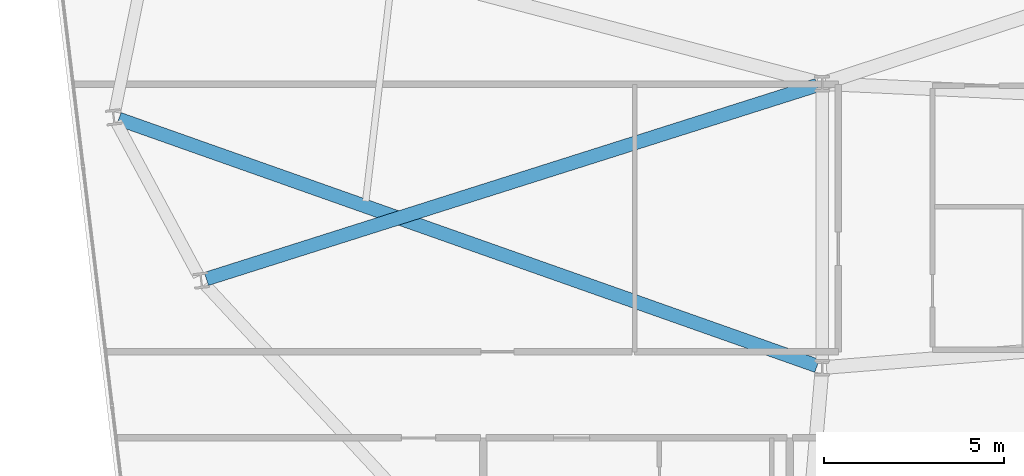
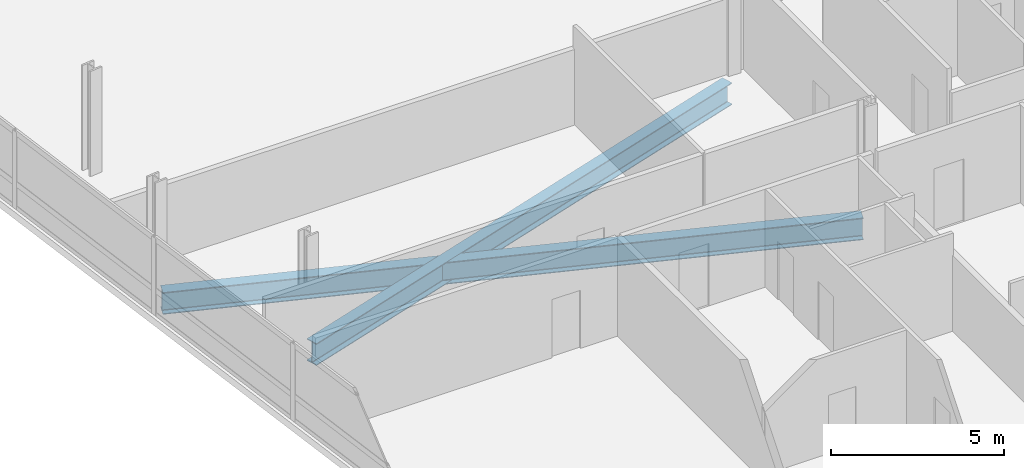
# One storey, part 5 of 23: 2 beams.
"""IFC4 building model written with IfcOpenShell, lengths in metres."""

import ifcopenshell
import ifcopenshell.guid

model = None  # the IFC model being written
_history = None  # IfcOwnerHistory: only IFC2X3 demands one
_inside = {}  # id of a spatial element -> (the spatial element, [elements in it])
_under = {}  # id of a project, library or spatial element -> (it, [spatial elements below it])
_declared = {}  # id of a project -> (the project, [libraries it declares])
_typed = {}  # id of a type object -> (the type object, [elements of that type])
_made_of = {}  # id of a material, layer set ... -> (it, [elements and type objects made of it])


def new_model(schema):
    """Start an empty IFC model of exactly this schema.

    Asked for "IFC4X3", IfcOpenShell would pick the latest addendum, in which some entities
    have other attributes; the version numbers below select the first issue.
    IFC2X3 requires an IfcOwnerHistory on every rooted entity: one is made here for all.
    """
    global model, _history
    if schema == "IFC4X3":
        model = ifcopenshell.file(schema_version=(4, 3, 0, 0))
    else:
        model = ifcopenshell.file(schema=schema)
    _inside.clear()
    _under.clear()
    _declared.clear()
    _typed.clear()
    _made_of.clear()
    _history = None
    if model.schema == "IFC2X3":
        org = make("IfcOrganization", Name="unknown")
        user = make(
            "IfcPersonAndOrganization",
            ThePerson=make("IfcPerson", FamilyName="unknown"),
            TheOrganization=org,
        )
        app = make(
            "IfcApplication",
            ApplicationDeveloper=org,
            Version="unknown",
            ApplicationFullName="unknown",
            ApplicationIdentifier="unknown",
        )
        _history = make(
            "IfcOwnerHistory",
            OwningUser=user,
            OwningApplication=app,
            ChangeAction="ADDED",
            CreationDate=0,
        )
    return model


def make(cls, **values):
    """One entity of the class cls with the attributes given. An attribute that is None is left unset."""
    return model.create_entity(
        cls, **{name: value for name, value in values.items() if value is not None}
    )


def rooted(cls, **values):
    """An entity with a GlobalId (a new one), such as an element, a storey or a relation."""
    return make(cls, GlobalId=ifcopenshell.guid.new(), OwnerHistory=_history, **values)


def si_unit(unit_type, name, prefix=None):
    """IfcSIUnit, for example si_unit("LENGTHUNIT", "METRE", prefix="MILLI")."""
    return make("IfcSIUnit", UnitType=unit_type, Prefix=prefix, Name=name)


def assignment(units):
    """IfcUnitAssignment: the units of a project."""
    return None if units is None else make("IfcUnitAssignment", Units=units)


def point(xyz):
    """IfcCartesianPoint."""
    return None if xyz is None else make("IfcCartesianPoint", Coordinates=xyz)


def direction(xyz):
    """IfcDirection."""
    return None if xyz is None else make("IfcDirection", DirectionRatios=xyz)


def frame(location, z_axis=None, x_axis=None):
    """IfcAxis2Placement3D, a coordinate frame: its origin and axes. An axis left out is left unset."""
    return make(
        "IfcAxis2Placement3D",
        Location=point(location),
        Axis=direction(z_axis),
        RefDirection=direction(x_axis),
    )


def frame_2d(location, x_axis=None):
    """IfcAxis2Placement2D, a coordinate frame in the plane: its origin and x axis."""
    return make(
        "IfcAxis2Placement2D", Location=point(location), RefDirection=direction(x_axis)
    )


def origin():
    """The frame at (0, 0, 0) with its axes left unset."""
    return frame((0.0, 0.0, 0.0))


def origin_2d():
    """The frame at (0, 0) in the plane with its x axis left unset."""
    return frame_2d((0.0, 0.0))


def place(relative_to, where):
    """IfcLocalPlacement: puts the frame where relative to a parent placement (None: the world)."""
    return make(
        "IfcLocalPlacement", PlacementRelTo=relative_to, RelativePlacement=where
    )


def context(
    kind, dimensions, precision=None, world=None, true_north=None, identifier=None
):
    """IfcGeometricRepresentationContext, for example the 3D "Model" context."""
    return make(
        "IfcGeometricRepresentationContext",
        ContextIdentifier=identifier,
        ContextType=kind,
        CoordinateSpaceDimension=dimensions,
        Precision=precision,
        WorldCoordinateSystem=world,
        TrueNorth=true_north,
    )


def subcontext(parent, identifier, kind, view, scale=None):
    """IfcGeometricRepresentationSubContext, for example "Body" below "Model"."""
    return make(
        "IfcGeometricRepresentationSubContext",
        ContextIdentifier=identifier,
        ContextType=kind,
        ParentContext=parent,
        TargetScale=scale,
        TargetView=view,
    )


def project(units=None, contexts=None):
    """IfcProject with its units and contexts."""
    return rooted(
        "IfcProject",
        Name="project",
        RepresentationContexts=contexts,
        UnitsInContext=assignment(units),
    )


def spatial(cls, under=None, at=None, **own):
    """A site, building, storey or space (cls), placed at a placement, below another one or the project."""
    s = rooted(cls, ObjectPlacement=at, **own)
    if under is not None:
        _under.setdefault(under.id(), (under, []))[1].append(s)
    return s


def profile(cls, at=None, kind="AREA", **sizes):
    """A parametric profile (cls). Its sizes go by their IFC names, for example OverallWidth=200.0."""
    return make(cls, ProfileType=kind, Position=at, **sizes)


def i_section(**sizes):
    """IfcIShapeProfileDef."""
    return profile("IfcIShapeProfileDef", **sizes)


def extrude(swept, where, along, depth):
    """IfcExtrudedAreaSolid: the profile swept, set in the frame where, extruded along a direction by depth."""
    return make(
        "IfcExtrudedAreaSolid",
        SweptArea=swept,
        Position=where,
        ExtrudedDirection=direction(along),
        Depth=depth,
    )


def shape(context_of_items, identifier, shape_type, items):
    """IfcShapeRepresentation: the items that make up one representation, for example the "Body"."""
    return make(
        "IfcShapeRepresentation",
        ContextOfItems=context_of_items,
        RepresentationIdentifier=identifier,
        RepresentationType=shape_type,
        Items=items,
    )


def material(Name=None, Category=None):
    """IfcMaterial."""
    return make("IfcMaterial", Name=Name, Category=Category)


def material_profile(
    of_material, cross_section, Name=None, Category=None, Priority=None
):
    """IfcMaterialProfile: a cross section and its material."""
    return make(
        "IfcMaterialProfile",
        Name=Name,
        Material=of_material,
        Profile=cross_section,
        Priority=Priority,
        Category=Category,
    )


def profile_set(profiles, Name=None, composite=None):
    """IfcMaterialProfileSet."""
    return make(
        "IfcMaterialProfileSet",
        Name=Name,
        MaterialProfiles=profiles,
        CompositeProfile=composite,
    )


def made_of(thing, what):
    """Note that an element or type object is made of a material, layer set ...; save() writes the relation."""
    if what is not None:
        _made_of.setdefault(what.id(), (what, []))[1].append(thing)
    return thing


def type_object(cls, material=None, **own):
    """A type object (cls), such as IfcWallType, which elements share."""
    return made_of(rooted(cls, **own), material)


def element(
    cls,
    number,
    at=None,
    inside=None,
    cuts=None,
    type_object=None,
    material=None,
    context=None,
    identifier="Body",
    shape_type=None,
    held_by="IfcProductDefinitionShape",
    body=None,
    shapes=None,
    **own,
):
    """One element of the class cls, such as IfcWall. Its Tag is "e" and its number.

    at: its placement. inside: the storey or other place that contains it. cuts: it is an
    opening in that element (IfcRelVoidsElement). A single representation is given by context,
    identifier, shape_type and body (its items); several are given by shapes. held_by: the class
    of the entity that holds the representations. save() writes the other relations.
    """
    e = rooted(cls, Tag="e%d" % number, ObjectPlacement=at, **own)
    if body is not None:
        shapes = [shape(context, identifier, shape_type, body)]
    if shapes is not None:
        e.Representation = make(held_by, Representations=shapes)
    if inside is not None:
        _inside.setdefault(inside.id(), (inside, []))[1].append(e)
    if cuts is not None:
        rooted(
            "IfcRelVoidsElement", RelatingBuildingElement=cuts, RelatedOpeningElement=e
        )
    if type_object is not None:
        _typed.setdefault(type_object.id(), (type_object, []))[1].append(e)
    return made_of(e, material)


def aggregate(whole, parts):
    """IfcRelAggregates: a whole, such as a stair, and the parts it consists of."""
    return rooted("IfcRelAggregates", RelatingObject=whole, RelatedObjects=parts)


def save(model, path):
    """Write the relations noted so far, then the file.

    IfcRelAggregates (storeys below a building ...), IfcRelContainedInSpatialStructure (elements
    in a storey), IfcRelDefinesByType, IfcRelAssociatesMaterial and IfcRelDeclares: one each for
    every whole, place, type object, material and project.
    """
    for whole, parts in _under.values():
        aggregate(whole, parts)
    for where, things in _inside.values():
        rooted(
            "IfcRelContainedInSpatialStructure",
            RelatedElements=things,
            RelatingStructure=where,
        )
    for kind, things in _typed.values():
        rooted("IfcRelDefinesByType", RelatedObjects=things, RelatingType=kind)
    for what, things in _made_of.values():
        rooted("IfcRelAssociatesMaterial", RelatedObjects=things, RelatingMaterial=what)
    for by, libraries in _declared.values():
        rooted("IfcRelDeclares", RelatingContext=by, RelatedDefinitions=libraries)
    model.write(path)


model = new_model("IFC4")

# Units and contexts
model_context = context("Model", 3, precision=1e-05, world=origin(), true_north=direction((0.0, 1.0)))
body_context = subcontext(model_context, "Body", "Model", "MODEL_VIEW")
ifc_project = project(units=[si_unit("LENGTHUNIT", "METRE"), si_unit("AREAUNIT", "SQUARE_METRE"), si_unit("VOLUMEUNIT", "CUBIC_METRE"), si_unit("PLANEANGLEUNIT", "RADIAN"), si_unit("MASSUNIT", "GRAM", prefix="KILO")], contexts=[model_context])

# Site, building, storey
site_placement = place(None, origin())
site = spatial("IfcSite", under=ifc_project, at=site_placement, CompositionType="ELEMENT")
building_placement = place(site_placement, origin())
building = spatial("IfcBuilding", under=site, at=building_placement, Name="Varnelok Gate Tower", CompositionType="ELEMENT")
storey_placement = place(building_placement, frame((0.0, 0.0, 193.10009765625)))
storey = spatial("IfcBuildingStorey", under=building, at=storey_placement, Name="L49", CompositionType="ELEMENT", Elevation=193.10009765625)

# Beams
ifc_material = material(Name="Structural Steel ASTM A992 Grade 50", Category="steel")
ifc_material_profile = material_profile(ifc_material, i_section(OverallWidth=0.381103515625, OverallDepth=0.77294921875, WebThickness=0.0166015625, FlangeThickness=0.027099609375, FilletRadius=0.02197265625, at=origin_2d()), Name="W30X173")
ifc_profile_set = profile_set([ifc_material_profile], Name="Structural Steel ASTM A992 Grade 50")
beam_type = type_object("IfcBeamType", Name="BM-PRI-W30X173", PredefinedType="BEAM", material=ifc_profile_set)
beam_1_placement = place(storey_placement, frame((24.258544921875, 18.85009765625, -0.63671875), z_axis=(-0.942837769657, 0.333252066923, 0.0), x_axis=(-0.333252066923, -0.942837769657, 0.0)))
element("IfcBeam", 1, at=beam_1_placement, inside=storey, type_object=beam_type, Name="L49 Radial Floor Girder 15", PredefinedType="BEAM", context=body_context, shape_type="SweptSolid", body=[
    extrude(i_section(OverallWidth=0.381103515625, OverallDepth=0.77294921875, WebThickness=0.0166015625, FlangeThickness=0.027099609375, FilletRadius=0.02197265625, at=origin_2d()), origin(), (0.0, 0.0, 1.0), 20.5458984375),
])
beam_2_placement = place(storey_placement, frame((24.257080078125, 26.634521484375, -0.63671875), z_axis=(-0.953202154823, -0.302333676657, 0.0), x_axis=(0.302333676657, -0.953202154823, 0.0)))
element("IfcBeam", 2, at=beam_2_placement, inside=storey, type_object=beam_type, Name="L49 Radial Floor Girder 16", PredefinedType="BEAM", context=body_context, shape_type="SweptSolid", body=[
    extrude(i_section(OverallWidth=0.381103515625, OverallDepth=0.77294921875, WebThickness=0.0166015625, FlangeThickness=0.027099609375, FilletRadius=0.02197265625, at=origin_2d()), origin(), (0.0, 0.0, 1.0), 17.77099609375),
])

save(model, "model.ifc")
